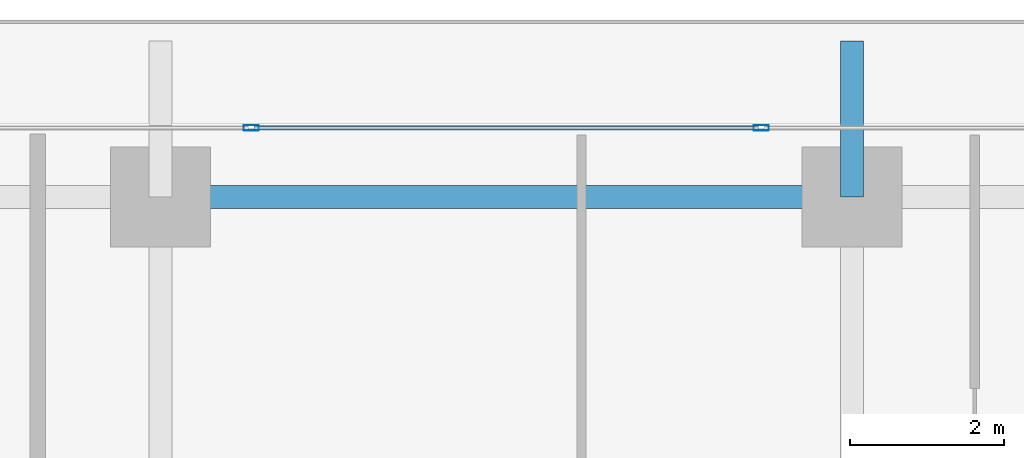
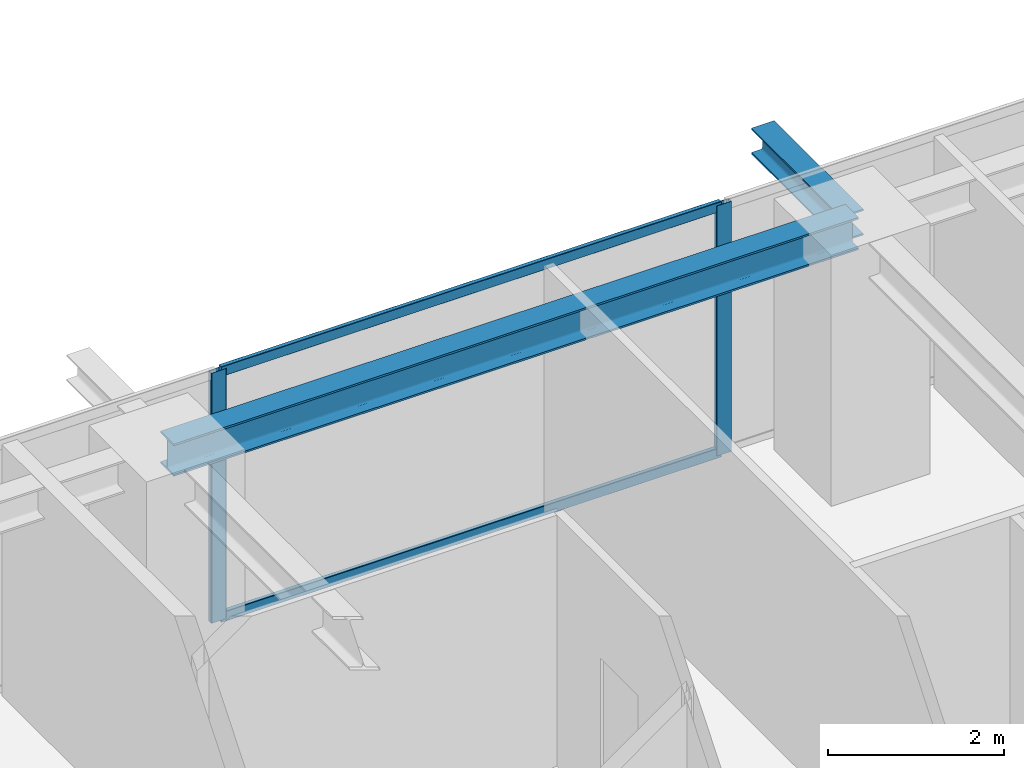
# One storey, part 19 of 35: 4 members, 2 beams, 1 element without a shape of its own.
"""IFC4 building model written with IfcOpenShell, lengths in metres."""

from ifc_helpers import new_model, si_unit, direction, frame, origin, origin_2d, place, context, subcontext, project, spatial, hollow_rectangle, i_section, extrude, source, transform, mapped, material, layer, layer_set, material_profile, profile_set, type_object, element, aggregate, save


model = new_model("IFC4")

# Units and contexts
model_context = context("Model", 3, precision=1e-05, world=origin(), true_north=direction((0.0, 1.0)))
body_context = subcontext(model_context, "Body", "Model", "MODEL_VIEW")
ifc_project = project(units=[si_unit("LENGTHUNIT", "METRE"), si_unit("AREAUNIT", "SQUARE_METRE"), si_unit("VOLUMEUNIT", "CUBIC_METRE"), si_unit("PLANEANGLEUNIT", "RADIAN"), si_unit("MASSUNIT", "GRAM", prefix="KILO")], contexts=[model_context])

# Site, building, storey
site_placement = place(None, origin())
site = spatial("IfcSite", under=ifc_project, at=site_placement, CompositionType="ELEMENT")
building_placement = place(site_placement, origin())
building = spatial("IfcBuilding", under=site, at=building_placement, Name="Serunith Strait Residences", CompositionType="ELEMENT")
storey_placement = place(building_placement, frame((0.0, 0.0, 172.64990234375)))
storey = spatial("IfcBuildingStorey", under=building, at=storey_placement, Name="L43", CompositionType="ELEMENT", Elevation=172.64990234375)

# Beams
ifc_material_1 = material(Name="Steel S355J2", Category="steel")
ifc_material_profile_1 = material_profile(ifc_material_1, i_section(OverallWidth=0.300048828125, OverallDepth=0.449951171875, WebThickness=0.013916015625, FlangeThickness=0.02587890625, FilletRadius=0.027099609375, at=origin_2d()), Name="HEB 450")
ifc_profile_set_1 = profile_set([ifc_material_profile_1], Name="Steel S355J2")
beam_type_1 = type_object("IfcBeamType", Name="BM-HEB450", PredefinedType="BEAM", material=ifc_profile_set_1)
shared_shape_1 = source(origin(), body_context, "Body", "SweptSolid", [
    extrude(i_section(OverallWidth=0.300048828125, OverallDepth=0.449951171875, WebThickness=0.013916015625, FlangeThickness=0.02587890625, FilletRadius=0.027099609375, at=origin_2d()), origin(), (0.0, 0.0, 1.0), 9.0),
])
beam_1_placement = place(storey_placement, frame((36.89990234375, 48.10009765625, 3.26220703125), z_axis=(-1.0, 0.0, 0.0), x_axis=(0.0, -1.0, 0.0)))
element("IfcBeam", 1, at=beam_1_placement, inside=storey, type_object=beam_type_1, Name="L43 Perimeter Ring Beam 10", PredefinedType="BEAM", context=body_context, shape_type="MappedRepresentation", body=[
    mapped(shared_shape_1, transform((0.0, 0.0, 0.0), scale=1.0)),
])
ifc_material_profile_2 = material_profile(ifc_material_1, i_section(OverallWidth=0.300048828125, OverallDepth=0.360107421875, WebThickness=0.012451171875, FlangeThickness=0.0224609375, FilletRadius=0.027099609375, at=origin_2d()), Name="HEB 360")
ifc_profile_set_2 = profile_set([ifc_material_profile_2], Name="Steel S355J2")
beam_type_2 = type_object("IfcBeamType", Name="BM-HEB360", PredefinedType="BEAM", material=ifc_profile_set_2)
shared_shape_2 = source(origin(), body_context, "Body", "SweptSolid", [
    extrude(i_section(OverallWidth=0.300048828125, OverallDepth=0.360107421875, WebThickness=0.012451171875, FlangeThickness=0.0224609375, FilletRadius=0.027099609375, at=origin_2d()), origin(), (0.0, 0.0, 1.0), 2.02978515625),
])
beam_2_placement = place(storey_placement, frame((36.89990234375, 48.10009765625, 3.277099609375), z_axis=(0.0, 1.0, 0.0), x_axis=(-1.0, 0.0, 0.0)))
element("IfcBeam", 2, at=beam_2_placement, inside=storey, type_object=beam_type_2, Name="L44 Cantilevered Balcony Rib TC-N3", PredefinedType="BEAM", context=body_context, shape_type="MappedRepresentation", body=[
    mapped(shared_shape_2, transform((0.0, 0.0, 0.0), scale=1.0)),
])

# Curtain wall, members
ifc_material_2 = material(Name="Pale-Champagne Anodised Aluminium", Category="aluminium")
ifc_layer = layer(ifc_material_2, 0.199951171875, Name="Pale-Champagne Anodised Aluminium")
ifc_layer_set = layer_set([ifc_layer], Name="Pale-Champagne Anodised Aluminium")
curtain_wall_type = type_object("IfcCurtainWallType", Name="CW-SYS2", PredefinedType="NOTDEFINED", material=ifc_layer_set)
curtain_wall_placement = place(storey_placement, origin())
curtain_wall = element("IfcCurtainWall", 3, at=curtain_wall_placement, inside=storey, type_object=curtain_wall_type, Name="L43 N Unitised Fritted Curtain Wall", PredefinedType="NOTDEFINED")
ifc_material_profile_3 = material_profile(ifc_material_2, hollow_rectangle(XDim=0.070068359375, YDim=0.199951171875, WallThickness=0.00390625, InnerFilletRadius=0.006103515625, OuterFilletRadius=0.010009765625, at=origin_2d()), Name="ALU 200x70x4")
ifc_profile_set_3 = profile_set([ifc_material_profile_3], Name="Pale-Champagne Anodised Aluminium")
member_type_1 = type_object("IfcMemberType", Name="CW-SYS2-MULL", PredefinedType="MULLION", material=ifc_profile_set_3)
shared_shape_3 = source(origin(), body_context, "Body", "SweptSolid", [
    extrude(hollow_rectangle(XDim=0.070068359375, YDim=0.199951171875, WallThickness=0.00390625, InnerFilletRadius=0.006103515625, OuterFilletRadius=0.010009765625, at=origin_2d()), origin(), (0.0, 0.0, 1.0), 3.47509765625),
])
member_1_placement = place(storey_placement, frame((35.719970703125, 49.0, 0.0), z_axis=(0.0, 0.0, 1.0), x_axis=(0.0, -1.0, 0.0)))
member_1 = element("IfcMember", 4, at=member_1_placement, type_object=member_type_1, Name="CW-2 mullion 3", PredefinedType="MULLION", context=body_context, shape_type="MappedRepresentation", body=[
    mapped(shared_shape_3, transform((0.0, 0.0, 0.0), scale=1.0)),
])
member_2_placement = place(storey_placement, frame((29.080078125, 49.0, 0.0), z_axis=(0.0, 0.0, 1.0), x_axis=(0.0, -1.0, 0.0)))
member_2 = element("IfcMember", 5, at=member_2_placement, type_object=member_type_1, Name="CW-2 mullion 4", PredefinedType="MULLION", context=body_context, shape_type="MappedRepresentation", body=[
    mapped(shared_shape_3, transform((0.0, 0.0, 0.0), scale=1.0)),
])
ifc_material_profile_4 = material_profile(ifc_material_2, hollow_rectangle(XDim=0.06005859375, YDim=0.139892578125, WallThickness=0.00341796875, InnerFilletRadius=0.00537109375, OuterFilletRadius=0.0087890625, at=origin_2d()), Name="ALU 140x60x3.5")
ifc_profile_set_4 = profile_set([ifc_material_profile_4], Name="Pale-Champagne Anodised Aluminium")
member_type_2 = type_object("IfcMemberType", Name="CW-SYS2-TRAN", PredefinedType="USERDEFINED", material=ifc_profile_set_4)
shared_shape_4 = source(origin(), body_context, "Body", "SweptSolid", [
    extrude(hollow_rectangle(XDim=0.06005859375, YDim=0.139892578125, WallThickness=0.00341796875, InnerFilletRadius=0.00537109375, OuterFilletRadius=0.0087890625, at=origin_2d()), origin(), (0.0, 0.0, 1.0), 6.570068359375),
])
member_3_placement = place(storey_placement, frame((35.68505859375, 49.0, 0.030029296875), z_axis=(-1.0, 0.0, 0.0), x_axis=(0.0, -1.0, 0.0)))
member_3 = element("IfcMember", 6, at=member_3_placement, type_object=member_type_2, Name="CW-2 transom 3.1", ObjectType="TRANSOM", PredefinedType="USERDEFINED", context=body_context, shape_type="MappedRepresentation", body=[
    mapped(shared_shape_4, transform((0.0, 0.0, 0.0), scale=1.0)),
])
member_4_placement = place(storey_placement, frame((35.68505859375, 49.0, 3.445068359375), z_axis=(-1.0, 0.0, 0.0), x_axis=(0.0, -1.0, 0.0)))
member_4 = element("IfcMember", 7, at=member_4_placement, type_object=member_type_2, Name="CW-2 transom 3.2", ObjectType="TRANSOM", PredefinedType="USERDEFINED", context=body_context, shape_type="MappedRepresentation", body=[
    mapped(shared_shape_4, transform((0.0, 0.0, 0.0), scale=1.0)),
])
aggregate(curtain_wall, [member_1, member_2, member_3, member_4])

save(model, "model.ifc")
